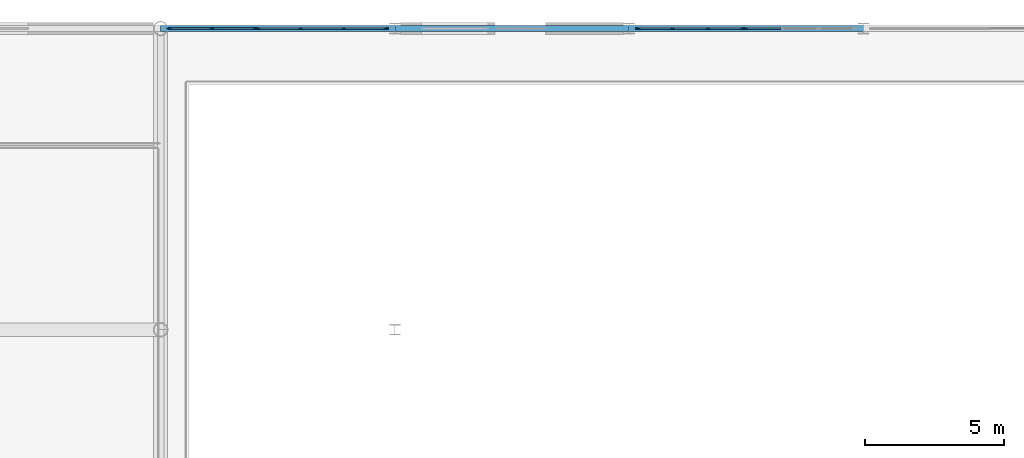
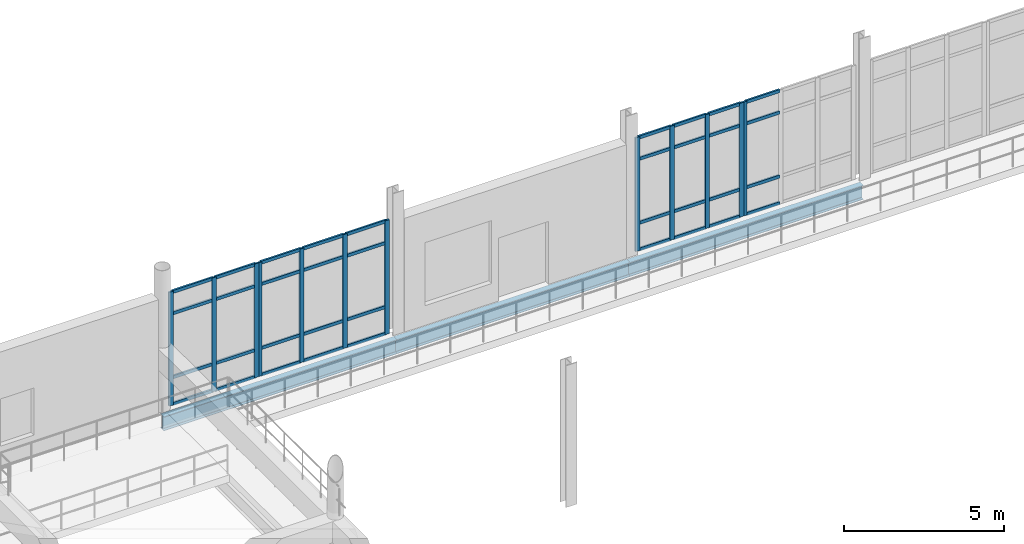
# One storey, part 53 of 111: 48 members, 3 beams, 4 elements without a shape of their own.
"""IFC4 building model written with IfcOpenShell, lengths in metres."""

from ifc_helpers import new_model, si_unit, direction, frame, origin, origin_2d, place, context, subcontext, project, spatial, rectangle, i_section, extrude, material, layer, layer_set, material_profile, profile_set, type_object, element, aggregate, save


model = new_model("IFC4")

# Units and contexts
model_context = context("Model", 3, precision=1e-05, world=origin(), true_north=direction((0.0, 1.0)))
body_context = subcontext(model_context, "Body", "Model", "MODEL_VIEW")
ifc_project = project(units=[si_unit("LENGTHUNIT", "METRE"), si_unit("AREAUNIT", "SQUARE_METRE"), si_unit("VOLUMEUNIT", "CUBIC_METRE"), si_unit("PLANEANGLEUNIT", "RADIAN"), si_unit("MASSUNIT", "GRAM", prefix="KILO"), si_unit("THERMODYNAMICTEMPERATUREUNIT", "KELVIN"), si_unit("POWERUNIT", "WATT")], contexts=[model_context])

# Site, building, storey
site_placement = place(None, origin())
site = spatial("IfcSite", under=ifc_project, at=site_placement, CompositionType="ELEMENT")
building_placement = place(site_placement, origin())
building = spatial("IfcBuilding", under=site, at=building_placement, Name="Tembeka Court Mobility Hub", CompositionType="ELEMENT")
storey_placement = place(building_placement, origin())
storey = spatial("IfcBuildingStorey", under=building, at=storey_placement, Name="L00", CompositionType="ELEMENT", Elevation=0.0)

# Beams
ifc_material_1 = material(Name="Steel S355", Category="steel")
ifc_material_profile_1 = material_profile(ifc_material_1, i_section(OverallWidth=0.2099609375, OverallDepth=0.537109375, WebThickness=0.0107421875, FlangeThickness=0.017333984375, FilletRadius=0.0126953125, at=origin_2d()), Name="UKB 533x210x101")
ifc_profile_set_1 = profile_set([ifc_material_profile_1], Name="Steel S355")
beam_type = type_object("IfcBeamType", Name="BM-G03", PredefinedType="USERDEFINED", material=ifc_profile_set_1)
beam_1_placement = place(storey_placement, frame((42.0, 118.800048828125, -0.548583984375), z_axis=(1.0, 0.0, 0.0), x_axis=(0.0, 1.0, 0.0)))
element("IfcBeam", 1, at=beam_1_placement, inside=storey, type_object=beam_type, Name="Beam G03 (BM-L00-X0157)", ObjectType="GIRDER", PredefinedType="USERDEFINED", context=body_context, shape_type="SweptSolid", body=[
    extrude(i_section(OverallWidth=0.2099609375, OverallDepth=0.537109375, WebThickness=0.0107421875, FlangeThickness=0.017333984375, FilletRadius=0.0126953125, at=origin_2d()), origin(), (0.0, 0.0, 1.0), 8.39990234375),
])
beam_2_placement = place(storey_placement, frame((50.39990234375, 118.800048828125, -0.548583984375), z_axis=(1.0, 0.0, 0.0), x_axis=(0.0, 1.0, 0.0)))
element("IfcBeam", 2, at=beam_2_placement, inside=storey, type_object=beam_type, Name="Beam G03 (BM-L00-X0158)", ObjectType="GIRDER", PredefinedType="USERDEFINED", context=body_context, shape_type="SweptSolid", body=[
    extrude(i_section(OverallWidth=0.2099609375, OverallDepth=0.537109375, WebThickness=0.0107421875, FlangeThickness=0.017333984375, FilletRadius=0.0126953125, at=origin_2d()), origin(), (0.0, 0.0, 1.0), 8.400146484375),
])
beam_3_placement = place(storey_placement, frame((58.800048828125, 118.800048828125, -0.548583984375), z_axis=(1.0, 0.0, 0.0), x_axis=(0.0, 1.0, 0.0)))
element("IfcBeam", 3, at=beam_3_placement, inside=storey, type_object=beam_type, Name="Beam G03 (BM-L00-X0159)", ObjectType="GIRDER", PredefinedType="USERDEFINED", context=body_context, shape_type="SweptSolid", body=[
    extrude(i_section(OverallWidth=0.2099609375, OverallDepth=0.537109375, WebThickness=0.0107421875, FlangeThickness=0.017333984375, FilletRadius=0.0126953125, at=origin_2d()), origin(), (0.0, 0.0, 1.0), 8.39990234375),
])

# Curtain wall, members
ifc_material_2 = material(Name="Anodised aluminium 6063-T6", Category="aluminium")
ifc_layer_1 = layer(ifc_material_2, 0.159912109375)
ifc_layer_set_1 = layer_set([ifc_layer_1], Name="Anodised aluminium 6063-T6")
curtain_wall_type_1 = type_object("IfcCurtainWallType", Name="CW-SYS10", PredefinedType="USERDEFINED", material=ifc_layer_set_1)
curtain_wall_1_placement = place(storey_placement, origin())
curtain_wall_1 = element("IfcCurtainWall", 4, at=curtain_wall_1_placement, inside=storey, type_object=curtain_wall_type_1, Name="Unitised curtain wall CW10 (CW-L00-012)", ObjectType="UNITISED GLAZING", PredefinedType="USERDEFINED")
ifc_material_profile_2 = material_profile(ifc_material_2, rectangle(XDim=0.06494140625, YDim=0.159912109375, at=origin_2d()), Name="ALU-MUL 65x160")
ifc_profile_set_2 = profile_set([ifc_material_profile_2], Name="Anodised aluminium 6063-T6")
member_type_1 = type_object("IfcMemberType", Name="CW-MUL01", PredefinedType="MULLION", material=ifc_profile_set_2)
member_1_placement = place(storey_placement, frame((42.3125, 118.800048828125, 0.0), z_axis=(0.0, 0.0, 1.0), x_axis=(0.0, 1.0, 0.0)))
member_1 = element("IfcMember", 5, at=member_1_placement, type_object=member_type_1, Name="CW10 mullion 1", PredefinedType="MULLION", context=body_context, shape_type="SweptSolid", body=[
    extrude(rectangle(XDim=0.06494140625, YDim=0.159912109375, at=origin_2d()), origin(), (0.0, 0.0, 1.0), 4.3349609375),
])
member_2_placement = place(storey_placement, frame((43.85205078125, 118.800048828125, 0.0), z_axis=(0.0, 0.0, 1.0), x_axis=(0.0, 1.0, 0.0)))
member_2 = element("IfcMember", 6, at=member_2_placement, type_object=member_type_1, Name="CW10 mullion 2", PredefinedType="MULLION", context=body_context, shape_type="SweptSolid", body=[
    extrude(rectangle(XDim=0.06494140625, YDim=0.159912109375, at=origin_2d()), origin(), (0.0, 0.0, 1.0), 4.3349609375),
])
member_3_placement = place(storey_placement, frame((45.3916015625, 118.800048828125, 0.0), z_axis=(0.0, 0.0, 1.0), x_axis=(0.0, 1.0, 0.0)))
member_3 = element("IfcMember", 7, at=member_3_placement, type_object=member_type_1, Name="CW10 mullion 3", PredefinedType="MULLION", context=body_context, shape_type="SweptSolid", body=[
    extrude(rectangle(XDim=0.06494140625, YDim=0.159912109375, at=origin_2d()), origin(), (0.0, 0.0, 1.0), 4.3349609375),
])

ifc_layer_2 = layer(ifc_material_2, 0.159912109375)
ifc_layer_set_2 = layer_set([ifc_layer_2], Name="Anodised aluminium 6063-T6")
curtain_wall_type_2 = type_object("IfcCurtainWallType", Name="CW-SYS11", PredefinedType="USERDEFINED", material=ifc_layer_set_2)
curtain_wall_2_placement = place(storey_placement, origin())
curtain_wall_2 = element("IfcCurtainWall", 8, at=curtain_wall_2_placement, inside=storey, type_object=curtain_wall_type_2, Name="Unitised curtain wall CW11 (CW-L00-013)", ObjectType="UNITISED GLAZING", PredefinedType="USERDEFINED")
member_4_placement = place(storey_placement, frame((45.49658203125, 118.800048828125, 0.0), z_axis=(0.0, 0.0, 1.0), x_axis=(0.0, 1.0, 0.0)))
member_4 = element("IfcMember", 9, at=member_4_placement, type_object=member_type_1, Name="CW11 mullion 1", PredefinedType="MULLION", context=body_context, shape_type="SweptSolid", body=[
    extrude(rectangle(XDim=0.06494140625, YDim=0.159912109375, at=origin_2d()), origin(), (0.0, 0.0, 1.0), 4.3349609375),
])
member_5_placement = place(storey_placement, frame((47.01611328125, 118.800048828125, 0.0), z_axis=(0.0, 0.0, 1.0), x_axis=(0.0, 1.0, 0.0)))
member_5 = element("IfcMember", 10, at=member_5_placement, type_object=member_type_1, Name="CW11 mullion 2", PredefinedType="MULLION", context=body_context, shape_type="SweptSolid", body=[
    extrude(rectangle(XDim=0.06494140625, YDim=0.159912109375, at=origin_2d()), origin(), (0.0, 0.0, 1.0), 4.3349609375),
])
member_6_placement = place(storey_placement, frame((48.568115234375, 118.800048828125, 0.0), z_axis=(0.0, 0.0, 1.0), x_axis=(0.0, 1.0, 0.0)))
member_6 = element("IfcMember", 11, at=member_6_placement, type_object=member_type_1, Name="CW11 mullion 3", PredefinedType="MULLION", context=body_context, shape_type="SweptSolid", body=[
    extrude(rectangle(XDim=0.06494140625, YDim=0.159912109375, at=origin_2d()), origin(), (0.0, 0.0, 1.0), 4.3349609375),
])
member_7_placement = place(storey_placement, frame((50.08740234375, 118.800048828125, 0.0), z_axis=(0.0, 0.0, 1.0), x_axis=(0.0, 1.0, 0.0)))
member_7 = element("IfcMember", 12, at=member_7_placement, type_object=member_type_1, Name="CW11 mullion 4", PredefinedType="MULLION", context=body_context, shape_type="SweptSolid", body=[
    extrude(rectangle(XDim=0.06494140625, YDim=0.159912109375, at=origin_2d()), origin(), (0.0, 0.0, 1.0), 4.3349609375),
])

ifc_layer_3 = layer(ifc_material_2, 0.159912109375)
ifc_layer_set_3 = layer_set([ifc_layer_3], Name="Anodised aluminium 6063-T6")
curtain_wall_type_3 = type_object("IfcCurtainWallType", Name="CW-SYS12", PredefinedType="USERDEFINED", material=ifc_layer_set_3)
curtain_wall_3_placement = place(storey_placement, origin())
curtain_wall_3 = element("IfcCurtainWall", 13, at=curtain_wall_3_placement, inside=storey, type_object=curtain_wall_type_3, Name="Unitised curtain wall CW12 (CW-L00-014)", ObjectType="UNITISED GLAZING", PredefinedType="USERDEFINED")
member_8_placement = place(storey_placement, frame((59.112548828125, 118.800048828125, 0.0), z_axis=(0.0, 0.0, 1.0), x_axis=(0.0, 1.0, 0.0)))
member_8 = element("IfcMember", 14, at=member_8_placement, type_object=member_type_1, Name="CW12 mullion 1", PredefinedType="MULLION", context=body_context, shape_type="SweptSolid", body=[
    extrude(rectangle(XDim=0.06494140625, YDim=0.159912109375, at=origin_2d()), origin(), (0.0, 0.0, 1.0), 4.3349609375),
])
member_9_placement = place(storey_placement, frame((60.35205078125, 118.800048828125, 0.0), z_axis=(0.0, 0.0, 1.0), x_axis=(0.0, 1.0, 0.0)))
member_9 = element("IfcMember", 15, at=member_9_placement, type_object=member_type_1, Name="CW12 mullion 2", PredefinedType="MULLION", context=body_context, shape_type="SweptSolid", body=[
    extrude(rectangle(XDim=0.06494140625, YDim=0.159912109375, at=origin_2d()), origin(), (0.0, 0.0, 1.0), 4.3349609375),
])
member_10_placement = place(storey_placement, frame((61.6240234375, 118.800048828125, 0.0), z_axis=(0.0, 0.0, 1.0), x_axis=(0.0, 1.0, 0.0)))
member_10 = element("IfcMember", 16, at=member_10_placement, type_object=member_type_1, Name="CW12 mullion 3", PredefinedType="MULLION", context=body_context, shape_type="SweptSolid", body=[
    extrude(rectangle(XDim=0.06494140625, YDim=0.159912109375, at=origin_2d()), origin(), (0.0, 0.0, 1.0), 4.3349609375),
])
member_11_placement = place(storey_placement, frame((62.863525390625, 118.800048828125, 0.0), z_axis=(0.0, 0.0, 1.0), x_axis=(0.0, 1.0, 0.0)))
member_11 = element("IfcMember", 17, at=member_11_placement, type_object=member_type_1, Name="CW12 mullion 4", PredefinedType="MULLION", context=body_context, shape_type="SweptSolid", body=[
    extrude(rectangle(XDim=0.06494140625, YDim=0.159912109375, at=origin_2d()), origin(), (0.0, 0.0, 1.0), 4.3349609375),
])

# Curtain wall, member
ifc_layer_4 = layer(ifc_material_2, 0.159912109375)
ifc_layer_set_4 = layer_set([ifc_layer_4], Name="Anodised aluminium 6063-T6")
curtain_wall_type_4 = type_object("IfcCurtainWallType", Name="CW-SYS13", PredefinedType="USERDEFINED", material=ifc_layer_set_4)
curtain_wall_4_placement = place(storey_placement, origin())
curtain_wall_4 = element("IfcCurtainWall", 18, at=curtain_wall_4_placement, inside=storey, type_object=curtain_wall_type_4, Name="Unitised curtain wall CW13 (CW-L00-015)", ObjectType="UNITISED GLAZING", PredefinedType="USERDEFINED")
member_12_placement = place(storey_placement, frame((62.968505859375, 118.800048828125, 0.0), z_axis=(0.0, 0.0, 1.0), x_axis=(0.0, 1.0, 0.0)))
member_12 = element("IfcMember", 19, at=member_12_placement, type_object=member_type_1, Name="CW13 mullion 1", PredefinedType="MULLION", context=body_context, shape_type="SweptSolid", body=[
    extrude(rectangle(XDim=0.06494140625, YDim=0.159912109375, at=origin_2d()), origin(), (0.0, 0.0, 1.0), 4.3349609375),
])

# Member
ifc_material_profile_3 = material_profile(ifc_material_2, rectangle(XDim=0.06494140625, YDim=0.1201171875, at=origin_2d()), Name="ALU-TRN 65x120")
ifc_profile_set_3 = profile_set([ifc_material_profile_3], Name="Anodised aluminium 6063-T6")
member_type_2 = type_object("IfcMemberType", Name="CW-TRN01", PredefinedType="USERDEFINED", material=ifc_profile_set_3)
member_13_placement = place(storey_placement, frame((42.344970703125, 118.800048828125, 0.032470703125), z_axis=(1.0, 0.0, 0.0), x_axis=(0.0, 1.0, 0.0)))
member_13 = element("IfcMember", 20, at=member_13_placement, type_object=member_type_2, Name="CW10 transom 1.1", ObjectType="TRANSOM", PredefinedType="USERDEFINED", context=body_context, shape_type="SweptSolid", body=[
    extrude(rectangle(XDim=0.06494140625, YDim=0.1201171875, at=origin_2d()), origin(), (0.0, 0.0, 1.0), 1.474609375),
])

member_14_placement = place(storey_placement, frame((42.344970703125, 118.800048828125, 1.050048828125), z_axis=(1.0, 0.0, 0.0), x_axis=(0.0, 1.0, 0.0)))
member_14 = element("IfcMember", 21, at=member_14_placement, type_object=member_type_2, Name="CW10 transom 1.2", ObjectType="TRANSOM", PredefinedType="USERDEFINED", context=body_context, shape_type="SweptSolid", body=[
    extrude(rectangle(XDim=0.06494140625, YDim=0.1201171875, at=origin_2d()), origin(), (0.0, 0.0, 1.0), 1.474609375),
])

member_15_placement = place(storey_placement, frame((42.344970703125, 118.800048828125, 3.485107421875), z_axis=(1.0, 0.0, 0.0), x_axis=(0.0, 1.0, 0.0)))
member_15 = element("IfcMember", 22, at=member_15_placement, type_object=member_type_2, Name="CW10 transom 1.3", ObjectType="TRANSOM", PredefinedType="USERDEFINED", context=body_context, shape_type="SweptSolid", body=[
    extrude(rectangle(XDim=0.06494140625, YDim=0.1201171875, at=origin_2d()), origin(), (0.0, 0.0, 1.0), 1.474609375),
])

member_16_placement = place(storey_placement, frame((42.344970703125, 118.800048828125, 4.302490234375), z_axis=(1.0, 0.0, 0.0), x_axis=(0.0, 1.0, 0.0)))
member_16 = element("IfcMember", 23, at=member_16_placement, type_object=member_type_2, Name="CW10 transom 1.4", ObjectType="TRANSOM", PredefinedType="USERDEFINED", context=body_context, shape_type="SweptSolid", body=[
    extrude(rectangle(XDim=0.06494140625, YDim=0.1201171875, at=origin_2d()), origin(), (0.0, 0.0, 1.0), 1.474609375),
])

member_17_placement = place(storey_placement, frame((43.884521484375, 118.800048828125, 0.032470703125), z_axis=(1.0, 0.0, 0.0), x_axis=(0.0, 1.0, 0.0)))
member_17 = element("IfcMember", 24, at=member_17_placement, type_object=member_type_2, Name="CW10 transom 2.1", ObjectType="TRANSOM", PredefinedType="USERDEFINED", context=body_context, shape_type="SweptSolid", body=[
    extrude(rectangle(XDim=0.06494140625, YDim=0.1201171875, at=origin_2d()), origin(), (0.0, 0.0, 1.0), 1.474365234375),
])

member_18_placement = place(storey_placement, frame((43.884521484375, 118.800048828125, 1.050048828125), z_axis=(1.0, 0.0, 0.0), x_axis=(0.0, 1.0, 0.0)))
member_18 = element("IfcMember", 25, at=member_18_placement, type_object=member_type_2, Name="CW10 transom 2.2", ObjectType="TRANSOM", PredefinedType="USERDEFINED", context=body_context, shape_type="SweptSolid", body=[
    extrude(rectangle(XDim=0.06494140625, YDim=0.1201171875, at=origin_2d()), origin(), (0.0, 0.0, 1.0), 1.474365234375),
])

member_19_placement = place(storey_placement, frame((43.884521484375, 118.800048828125, 3.485107421875), z_axis=(1.0, 0.0, 0.0), x_axis=(0.0, 1.0, 0.0)))
member_19 = element("IfcMember", 26, at=member_19_placement, type_object=member_type_2, Name="CW10 transom 2.3", ObjectType="TRANSOM", PredefinedType="USERDEFINED", context=body_context, shape_type="SweptSolid", body=[
    extrude(rectangle(XDim=0.06494140625, YDim=0.1201171875, at=origin_2d()), origin(), (0.0, 0.0, 1.0), 1.474365234375),
])

member_20_placement = place(storey_placement, frame((43.884521484375, 118.800048828125, 4.302490234375), z_axis=(1.0, 0.0, 0.0), x_axis=(0.0, 1.0, 0.0)))
member_20 = element("IfcMember", 27, at=member_20_placement, type_object=member_type_2, Name="CW10 transom 2.4", ObjectType="TRANSOM", PredefinedType="USERDEFINED", context=body_context, shape_type="SweptSolid", body=[
    extrude(rectangle(XDim=0.06494140625, YDim=0.1201171875, at=origin_2d()), origin(), (0.0, 0.0, 1.0), 1.474365234375),
])

aggregate(curtain_wall_1, [member_1, member_2, member_3, member_13, member_14, member_15, member_16, member_17, member_18, member_19, member_20])

member_21_placement = place(storey_placement, frame((45.529052734375, 118.800048828125, 0.032470703125), z_axis=(1.0, 0.0, 0.0), x_axis=(0.0, 1.0, 0.0)))
member_21 = element("IfcMember", 28, at=member_21_placement, type_object=member_type_2, Name="CW11 transom 1.1", ObjectType="TRANSOM", PredefinedType="USERDEFINED", context=body_context, shape_type="SweptSolid", body=[
    extrude(rectangle(XDim=0.06494140625, YDim=0.1201171875, at=origin_2d()), origin(), (0.0, 0.0, 1.0), 1.454345703125),
])

member_22_placement = place(storey_placement, frame((45.529052734375, 118.800048828125, 1.050048828125), z_axis=(1.0, 0.0, 0.0), x_axis=(0.0, 1.0, 0.0)))
member_22 = element("IfcMember", 29, at=member_22_placement, type_object=member_type_2, Name="CW11 transom 1.2", ObjectType="TRANSOM", PredefinedType="USERDEFINED", context=body_context, shape_type="SweptSolid", body=[
    extrude(rectangle(XDim=0.06494140625, YDim=0.1201171875, at=origin_2d()), origin(), (0.0, 0.0, 1.0), 1.454345703125),
])

member_23_placement = place(storey_placement, frame((45.529052734375, 118.800048828125, 3.485107421875), z_axis=(1.0, 0.0, 0.0), x_axis=(0.0, 1.0, 0.0)))
member_23 = element("IfcMember", 30, at=member_23_placement, type_object=member_type_2, Name="CW11 transom 1.3", ObjectType="TRANSOM", PredefinedType="USERDEFINED", context=body_context, shape_type="SweptSolid", body=[
    extrude(rectangle(XDim=0.06494140625, YDim=0.1201171875, at=origin_2d()), origin(), (0.0, 0.0, 1.0), 1.454345703125),
])

member_24_placement = place(storey_placement, frame((45.529052734375, 118.800048828125, 4.302490234375), z_axis=(1.0, 0.0, 0.0), x_axis=(0.0, 1.0, 0.0)))
member_24 = element("IfcMember", 31, at=member_24_placement, type_object=member_type_2, Name="CW11 transom 1.4", ObjectType="TRANSOM", PredefinedType="USERDEFINED", context=body_context, shape_type="SweptSolid", body=[
    extrude(rectangle(XDim=0.06494140625, YDim=0.1201171875, at=origin_2d()), origin(), (0.0, 0.0, 1.0), 1.454345703125),
])

member_25_placement = place(storey_placement, frame((47.048583984375, 118.800048828125, 0.032470703125), z_axis=(1.0, 0.0, 0.0), x_axis=(0.0, 1.0, 0.0)))
member_25 = element("IfcMember", 32, at=member_25_placement, type_object=member_type_2, Name="CW11 transom 2.1", ObjectType="TRANSOM", PredefinedType="USERDEFINED", context=body_context, shape_type="SweptSolid", body=[
    extrude(rectangle(XDim=0.06494140625, YDim=0.1201171875, at=origin_2d()), origin(), (0.0, 0.0, 1.0), 1.48681640625),
])

member_26_placement = place(storey_placement, frame((47.048583984375, 118.800048828125, 1.050048828125), z_axis=(1.0, 0.0, 0.0), x_axis=(0.0, 1.0, 0.0)))
member_26 = element("IfcMember", 33, at=member_26_placement, type_object=member_type_2, Name="CW11 transom 2.2", ObjectType="TRANSOM", PredefinedType="USERDEFINED", context=body_context, shape_type="SweptSolid", body=[
    extrude(rectangle(XDim=0.06494140625, YDim=0.1201171875, at=origin_2d()), origin(), (0.0, 0.0, 1.0), 1.48681640625),
])

member_27_placement = place(storey_placement, frame((47.048583984375, 118.800048828125, 3.485107421875), z_axis=(1.0, 0.0, 0.0), x_axis=(0.0, 1.0, 0.0)))
member_27 = element("IfcMember", 34, at=member_27_placement, type_object=member_type_2, Name="CW11 transom 2.3", ObjectType="TRANSOM", PredefinedType="USERDEFINED", context=body_context, shape_type="SweptSolid", body=[
    extrude(rectangle(XDim=0.06494140625, YDim=0.1201171875, at=origin_2d()), origin(), (0.0, 0.0, 1.0), 1.48681640625),
])

member_28_placement = place(storey_placement, frame((47.048583984375, 118.800048828125, 4.302490234375), z_axis=(1.0, 0.0, 0.0), x_axis=(0.0, 1.0, 0.0)))
member_28 = element("IfcMember", 35, at=member_28_placement, type_object=member_type_2, Name="CW11 transom 2.4", ObjectType="TRANSOM", PredefinedType="USERDEFINED", context=body_context, shape_type="SweptSolid", body=[
    extrude(rectangle(XDim=0.06494140625, YDim=0.1201171875, at=origin_2d()), origin(), (0.0, 0.0, 1.0), 1.48681640625),
])

member_29_placement = place(storey_placement, frame((48.6005859375, 118.800048828125, 0.032470703125), z_axis=(1.0, 0.0, 0.0), x_axis=(0.0, 1.0, 0.0)))
member_29 = element("IfcMember", 36, at=member_29_placement, type_object=member_type_2, Name="CW11 transom 3.1", ObjectType="TRANSOM", PredefinedType="USERDEFINED", context=body_context, shape_type="SweptSolid", body=[
    extrude(rectangle(XDim=0.06494140625, YDim=0.1201171875, at=origin_2d()), origin(), (0.0, 0.0, 1.0), 1.454345703125),
])

member_30_placement = place(storey_placement, frame((48.6005859375, 118.800048828125, 1.050048828125), z_axis=(1.0, 0.0, 0.0), x_axis=(0.0, 1.0, 0.0)))
member_30 = element("IfcMember", 37, at=member_30_placement, type_object=member_type_2, Name="CW11 transom 3.2", ObjectType="TRANSOM", PredefinedType="USERDEFINED", context=body_context, shape_type="SweptSolid", body=[
    extrude(rectangle(XDim=0.06494140625, YDim=0.1201171875, at=origin_2d()), origin(), (0.0, 0.0, 1.0), 1.454345703125),
])

member_31_placement = place(storey_placement, frame((48.6005859375, 118.800048828125, 3.485107421875), z_axis=(1.0, 0.0, 0.0), x_axis=(0.0, 1.0, 0.0)))
member_31 = element("IfcMember", 38, at=member_31_placement, type_object=member_type_2, Name="CW11 transom 3.3", ObjectType="TRANSOM", PredefinedType="USERDEFINED", context=body_context, shape_type="SweptSolid", body=[
    extrude(rectangle(XDim=0.06494140625, YDim=0.1201171875, at=origin_2d()), origin(), (0.0, 0.0, 1.0), 1.454345703125),
])

member_32_placement = place(storey_placement, frame((48.6005859375, 118.800048828125, 4.302490234375), z_axis=(1.0, 0.0, 0.0), x_axis=(0.0, 1.0, 0.0)))
member_32 = element("IfcMember", 39, at=member_32_placement, type_object=member_type_2, Name="CW11 transom 3.4", ObjectType="TRANSOM", PredefinedType="USERDEFINED", context=body_context, shape_type="SweptSolid", body=[
    extrude(rectangle(XDim=0.06494140625, YDim=0.1201171875, at=origin_2d()), origin(), (0.0, 0.0, 1.0), 1.454345703125),
])

aggregate(curtain_wall_2, [member_4, member_5, member_6, member_7, member_21, member_22, member_23, member_24, member_25, member_26, member_27, member_28, member_29, member_30, member_31, member_32])

member_33_placement = place(storey_placement, frame((59.14501953125, 118.800048828125, 0.032470703125), z_axis=(1.0, 0.0, 0.0), x_axis=(0.0, 1.0, 0.0)))
member_33 = element("IfcMember", 40, at=member_33_placement, type_object=member_type_2, Name="CW12 transom 1.1", ObjectType="TRANSOM", PredefinedType="USERDEFINED", context=body_context, shape_type="SweptSolid", body=[
    extrude(rectangle(XDim=0.06494140625, YDim=0.1201171875, at=origin_2d()), origin(), (0.0, 0.0, 1.0), 1.174560546875),
])

member_34_placement = place(storey_placement, frame((59.14501953125, 118.800048828125, 1.050048828125), z_axis=(1.0, 0.0, 0.0), x_axis=(0.0, 1.0, 0.0)))
member_34 = element("IfcMember", 41, at=member_34_placement, type_object=member_type_2, Name="CW12 transom 1.2", ObjectType="TRANSOM", PredefinedType="USERDEFINED", context=body_context, shape_type="SweptSolid", body=[
    extrude(rectangle(XDim=0.06494140625, YDim=0.1201171875, at=origin_2d()), origin(), (0.0, 0.0, 1.0), 1.174560546875),
])

member_35_placement = place(storey_placement, frame((59.14501953125, 118.800048828125, 3.485107421875), z_axis=(1.0, 0.0, 0.0), x_axis=(0.0, 1.0, 0.0)))
member_35 = element("IfcMember", 42, at=member_35_placement, type_object=member_type_2, Name="CW12 transom 1.3", ObjectType="TRANSOM", PredefinedType="USERDEFINED", context=body_context, shape_type="SweptSolid", body=[
    extrude(rectangle(XDim=0.06494140625, YDim=0.1201171875, at=origin_2d()), origin(), (0.0, 0.0, 1.0), 1.174560546875),
])

member_36_placement = place(storey_placement, frame((59.14501953125, 118.800048828125, 4.302490234375), z_axis=(1.0, 0.0, 0.0), x_axis=(0.0, 1.0, 0.0)))
member_36 = element("IfcMember", 43, at=member_36_placement, type_object=member_type_2, Name="CW12 transom 1.4", ObjectType="TRANSOM", PredefinedType="USERDEFINED", context=body_context, shape_type="SweptSolid", body=[
    extrude(rectangle(XDim=0.06494140625, YDim=0.1201171875, at=origin_2d()), origin(), (0.0, 0.0, 1.0), 1.174560546875),
])

member_37_placement = place(storey_placement, frame((60.384521484375, 118.800048828125, 0.032470703125), z_axis=(1.0, 0.0, 0.0), x_axis=(0.0, 1.0, 0.0)))
member_37 = element("IfcMember", 44, at=member_37_placement, type_object=member_type_2, Name="CW12 transom 2.1", ObjectType="TRANSOM", PredefinedType="USERDEFINED", context=body_context, shape_type="SweptSolid", body=[
    extrude(rectangle(XDim=0.06494140625, YDim=0.1201171875, at=origin_2d()), origin(), (0.0, 0.0, 1.0), 1.20703125),
])

member_38_placement = place(storey_placement, frame((60.384521484375, 118.800048828125, 1.050048828125), z_axis=(1.0, 0.0, 0.0), x_axis=(0.0, 1.0, 0.0)))
member_38 = element("IfcMember", 45, at=member_38_placement, type_object=member_type_2, Name="CW12 transom 2.2", ObjectType="TRANSOM", PredefinedType="USERDEFINED", context=body_context, shape_type="SweptSolid", body=[
    extrude(rectangle(XDim=0.06494140625, YDim=0.1201171875, at=origin_2d()), origin(), (0.0, 0.0, 1.0), 1.20703125),
])

member_39_placement = place(storey_placement, frame((60.384521484375, 118.800048828125, 3.485107421875), z_axis=(1.0, 0.0, 0.0), x_axis=(0.0, 1.0, 0.0)))
member_39 = element("IfcMember", 46, at=member_39_placement, type_object=member_type_2, Name="CW12 transom 2.3", ObjectType="TRANSOM", PredefinedType="USERDEFINED", context=body_context, shape_type="SweptSolid", body=[
    extrude(rectangle(XDim=0.06494140625, YDim=0.1201171875, at=origin_2d()), origin(), (0.0, 0.0, 1.0), 1.20703125),
])

member_40_placement = place(storey_placement, frame((60.384521484375, 118.800048828125, 4.302490234375), z_axis=(1.0, 0.0, 0.0), x_axis=(0.0, 1.0, 0.0)))
member_40 = element("IfcMember", 47, at=member_40_placement, type_object=member_type_2, Name="CW12 transom 2.4", ObjectType="TRANSOM", PredefinedType="USERDEFINED", context=body_context, shape_type="SweptSolid", body=[
    extrude(rectangle(XDim=0.06494140625, YDim=0.1201171875, at=origin_2d()), origin(), (0.0, 0.0, 1.0), 1.20703125),
])

member_41_placement = place(storey_placement, frame((61.656494140625, 118.800048828125, 0.032470703125), z_axis=(1.0, 0.0, 0.0), x_axis=(0.0, 1.0, 0.0)))
member_41 = element("IfcMember", 48, at=member_41_placement, type_object=member_type_2, Name="CW12 transom 3.1", ObjectType="TRANSOM", PredefinedType="USERDEFINED", context=body_context, shape_type="SweptSolid", body=[
    extrude(rectangle(XDim=0.06494140625, YDim=0.1201171875, at=origin_2d()), origin(), (0.0, 0.0, 1.0), 1.174560546875),
])

member_42_placement = place(storey_placement, frame((61.656494140625, 118.800048828125, 1.050048828125), z_axis=(1.0, 0.0, 0.0), x_axis=(0.0, 1.0, 0.0)))
member_42 = element("IfcMember", 49, at=member_42_placement, type_object=member_type_2, Name="CW12 transom 3.2", ObjectType="TRANSOM", PredefinedType="USERDEFINED", context=body_context, shape_type="SweptSolid", body=[
    extrude(rectangle(XDim=0.06494140625, YDim=0.1201171875, at=origin_2d()), origin(), (0.0, 0.0, 1.0), 1.174560546875),
])

member_43_placement = place(storey_placement, frame((61.656494140625, 118.800048828125, 3.485107421875), z_axis=(1.0, 0.0, 0.0), x_axis=(0.0, 1.0, 0.0)))
member_43 = element("IfcMember", 50, at=member_43_placement, type_object=member_type_2, Name="CW12 transom 3.3", ObjectType="TRANSOM", PredefinedType="USERDEFINED", context=body_context, shape_type="SweptSolid", body=[
    extrude(rectangle(XDim=0.06494140625, YDim=0.1201171875, at=origin_2d()), origin(), (0.0, 0.0, 1.0), 1.174560546875),
])

member_44_placement = place(storey_placement, frame((61.656494140625, 118.800048828125, 4.302490234375), z_axis=(1.0, 0.0, 0.0), x_axis=(0.0, 1.0, 0.0)))
member_44 = element("IfcMember", 51, at=member_44_placement, type_object=member_type_2, Name="CW12 transom 3.4", ObjectType="TRANSOM", PredefinedType="USERDEFINED", context=body_context, shape_type="SweptSolid", body=[
    extrude(rectangle(XDim=0.06494140625, YDim=0.1201171875, at=origin_2d()), origin(), (0.0, 0.0, 1.0), 1.174560546875),
])

aggregate(curtain_wall_3, [member_8, member_9, member_10, member_11, member_33, member_34, member_35, member_36, member_37, member_38, member_39, member_40, member_41, member_42, member_43, member_44])

member_45_placement = place(storey_placement, frame((63.0009765625, 118.800048828125, 0.032470703125), z_axis=(1.0, 0.0, 0.0), x_axis=(0.0, 1.0, 0.0)))
member_45 = element("IfcMember", 52, at=member_45_placement, type_object=member_type_2, Name="CW13 transom 1.1", ObjectType="TRANSOM", PredefinedType="USERDEFINED", context=body_context, shape_type="SweptSolid", body=[
    extrude(rectangle(XDim=0.06494140625, YDim=0.1201171875, at=origin_2d()), origin(), (0.0, 0.0, 1.0), 1.23046875),
])

member_46_placement = place(storey_placement, frame((63.0009765625, 118.800048828125, 1.050048828125), z_axis=(1.0, 0.0, 0.0), x_axis=(0.0, 1.0, 0.0)))
member_46 = element("IfcMember", 53, at=member_46_placement, type_object=member_type_2, Name="CW13 transom 1.2", ObjectType="TRANSOM", PredefinedType="USERDEFINED", context=body_context, shape_type="SweptSolid", body=[
    extrude(rectangle(XDim=0.06494140625, YDim=0.1201171875, at=origin_2d()), origin(), (0.0, 0.0, 1.0), 1.23046875),
])

member_47_placement = place(storey_placement, frame((63.0009765625, 118.800048828125, 3.485107421875), z_axis=(1.0, 0.0, 0.0), x_axis=(0.0, 1.0, 0.0)))
member_47 = element("IfcMember", 54, at=member_47_placement, type_object=member_type_2, Name="CW13 transom 1.3", ObjectType="TRANSOM", PredefinedType="USERDEFINED", context=body_context, shape_type="SweptSolid", body=[
    extrude(rectangle(XDim=0.06494140625, YDim=0.1201171875, at=origin_2d()), origin(), (0.0, 0.0, 1.0), 1.23046875),
])

member_48_placement = place(storey_placement, frame((63.0009765625, 118.800048828125, 4.302490234375), z_axis=(1.0, 0.0, 0.0), x_axis=(0.0, 1.0, 0.0)))
member_48 = element("IfcMember", 55, at=member_48_placement, type_object=member_type_2, Name="CW13 transom 1.4", ObjectType="TRANSOM", PredefinedType="USERDEFINED", context=body_context, shape_type="SweptSolid", body=[
    extrude(rectangle(XDim=0.06494140625, YDim=0.1201171875, at=origin_2d()), origin(), (0.0, 0.0, 1.0), 1.23046875),
])

aggregate(curtain_wall_4, [member_12, member_45, member_46, member_47, member_48])

save(model, "model.ifc")
